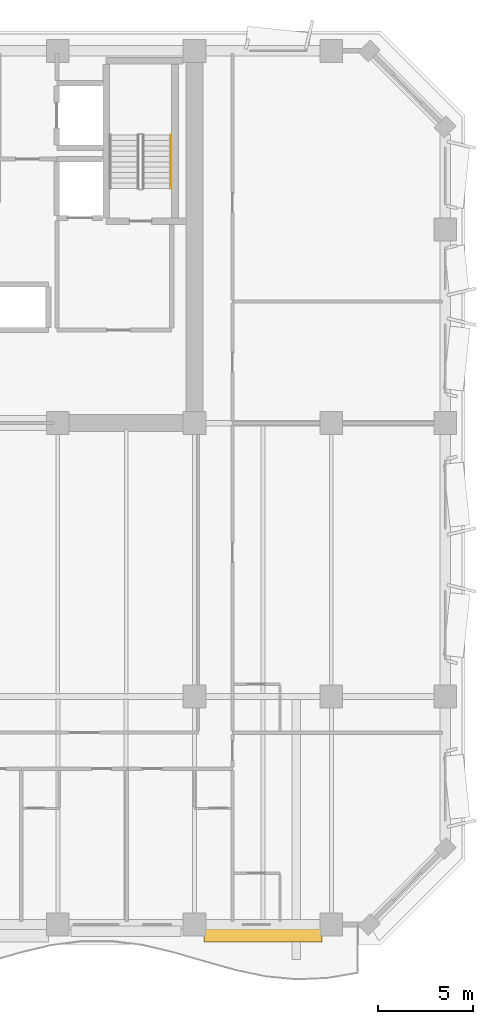
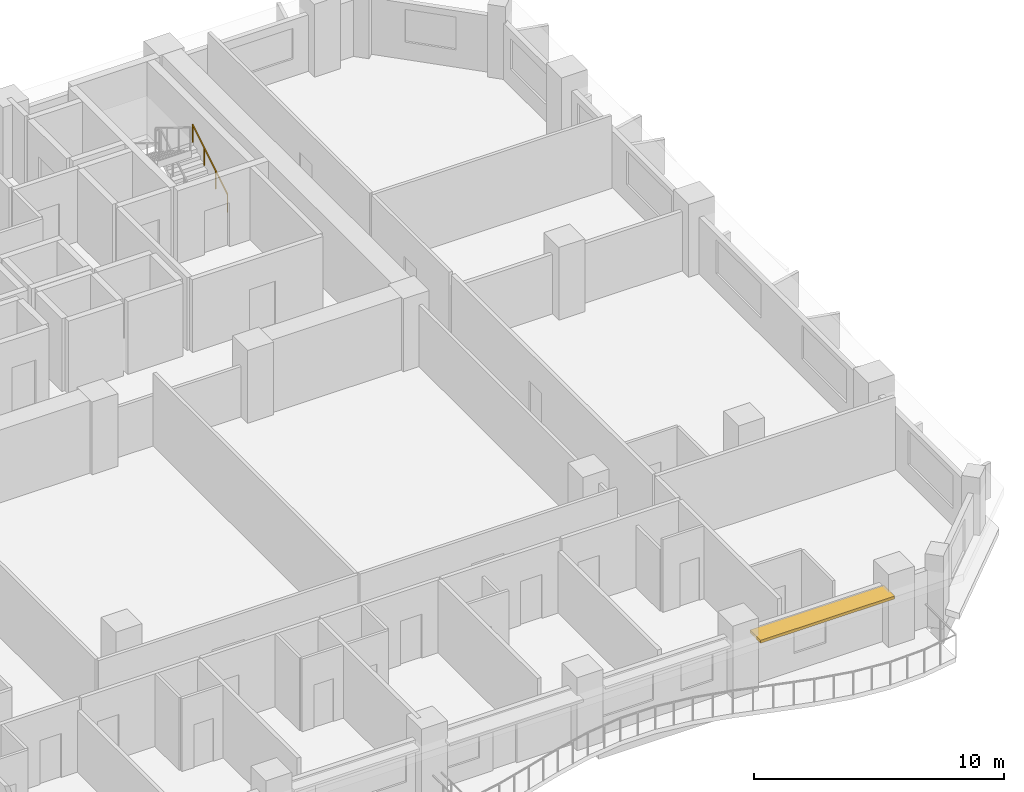
# One storey, part 15 of 15: 1 railing, 1 shading device.
"""IFC4 building model written with IfcOpenShell, lengths in metres."""

from ifc_helpers import new_model, si_unit, direction, frame, origin, origin_2d, place, context, subcontext, project, spatial, rectangle, extrude, material, layer, layer_set, type_object, element, save


model = new_model("IFC4")

# Units and contexts
model_context = context("Model", 3, precision=1e-05, world=origin(), true_north=direction((0.0, 1.0)))
body_context = subcontext(model_context, "Body", "Model", "MODEL_VIEW")
ifc_project = project(units=[si_unit("LENGTHUNIT", "METRE"), si_unit("AREAUNIT", "SQUARE_METRE"), si_unit("VOLUMEUNIT", "CUBIC_METRE"), si_unit("PLANEANGLEUNIT", "RADIAN"), si_unit("MASSUNIT", "GRAM", prefix="KILO")], contexts=[model_context])

# Site, building, storey
site_placement = place(None, origin())
site = spatial("IfcSite", under=ifc_project, at=site_placement, CompositionType="ELEMENT")
building_placement = place(site_placement, origin())
building = spatial("IfcBuilding", under=site, at=building_placement, Name="Kaelvorn Grand Hotel", CompositionType="ELEMENT")
storey_placement = place(building_placement, frame((0.0, 0.0, 142.949951171875)))
storey = spatial("IfcBuildingStorey", under=building, at=storey_placement, Name="L34", CompositionType="ELEMENT", Elevation=142.949951171875)

# Railing
ifc_material_1 = material(Name="Stainless Steel", Category="steel")
railing_type = type_object("IfcRailingType", Name="RL-HANDRAIL-900", PredefinedType="HANDRAIL", material=ifc_material_1)
railing_placement = place(storey_placement, frame((66.550048828125, 41.760009765625, 0.1728515625)))
element("IfcRailing", 1, at=railing_placement, inside=storey, type_object=railing_type, Name="L34 ST3 stair handrail 1", PredefinedType="HANDRAIL", context=body_context, shape_type="SweptSolid", body=[
    extrude(rectangle(XDim=0.048095703125, YDim=0.048095703125, at=origin_2d()), frame((0.0, 0.0, 0.8759765625), z_axis=(0.0, 0.851089632645, 0.525020415988), x_axis=(-1.0, 0.0, 0.0)), (0.0, 0.0, 1.0), 3.2900390625),
    extrude(rectangle(XDim=0.0419921875, YDim=0.0419921875, at=origin_2d()), origin(), (0.0, 0.0, 1.0), 0.851806640625),
    extrude(rectangle(XDim=0.0419921875, YDim=0.0419921875, at=origin_2d()), frame((0.0, 0.933349609375, 0.57568359375)), (0.0, 0.0, 1.0), 0.851806640625),
    extrude(rectangle(XDim=0.0419921875, YDim=0.0419921875, at=origin_2d()), frame((0.0, 1.86669921875, 1.151611328125)), (0.0, 0.0, 1.0), 0.851806640625),
    extrude(rectangle(XDim=0.0419921875, YDim=0.0419921875, at=origin_2d()), frame((0.0, 2.800048828125, 1.727294921875)), (0.0, 0.0, 1.0), 0.851806640625),
])

# Shading device
ifc_material_2 = material(Name="Precast concrete C45/55", Category="concrete")
ifc_layer = layer(ifc_material_2, 0.139892578125)
ifc_layer_set = layer_set([ifc_layer], Name="Precast concrete C45/55")
shading_device_type = type_object("IfcShadingDeviceType", Name="SHD-SUNSHADE-850", PredefinedType="USERDEFINED", material=ifc_layer_set)
shading_device_placement = place(storey_placement, frame((71.39990234375, 2.4951171875, 2.55029296875), z_axis=(0.0, 0.0, 1.0), x_axis=(1.0, 0.0, 0.0)))
element("IfcShadingDevice", 2, at=shading_device_placement, inside=storey, type_object=shading_device_type, Name="L34 Horizontal Concrete Sunshade Band SS-10", ObjectType="SUNSHADE", PredefinedType="USERDEFINED", context=body_context, shape_type="SweptSolid", body=[
    extrude(rectangle(XDim=6.199951171875, YDim=0.85009765625, at=origin_2d()), origin(), (0.0, 0.0, 1.0), 0.139892578125),
])

save(model, "model.ifc")
